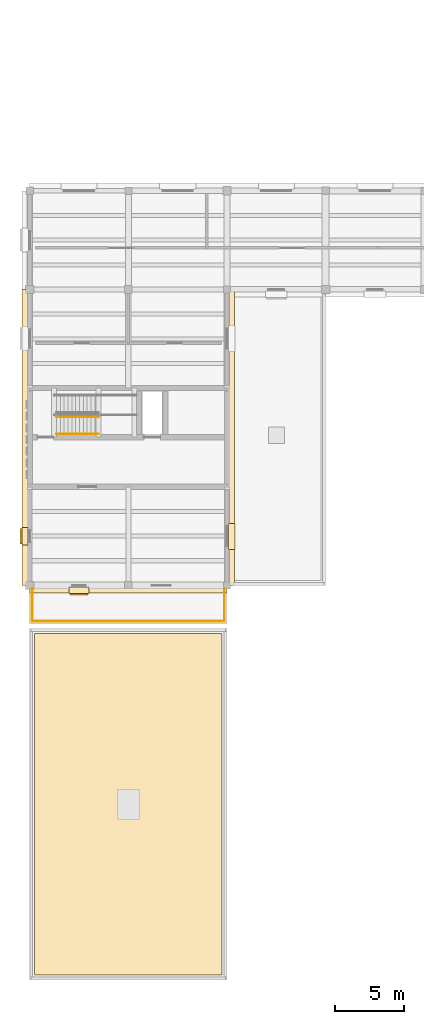
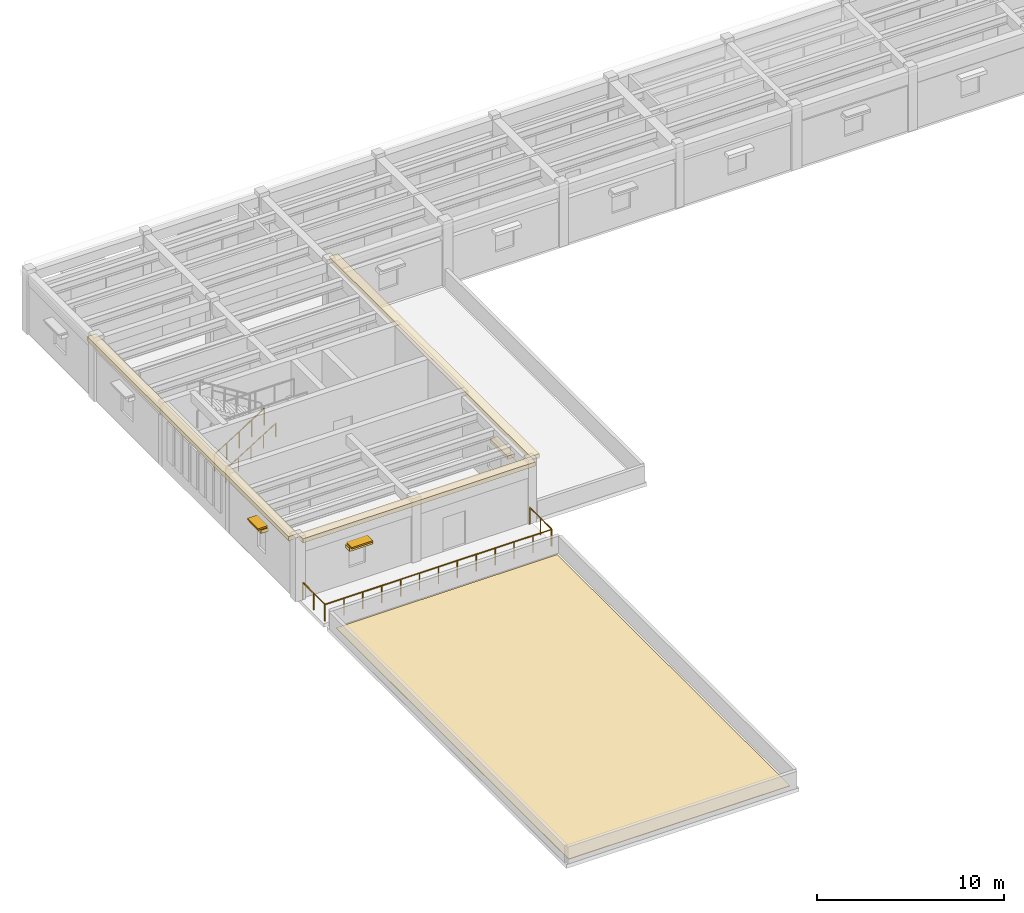
# One storey, part 23 of 27: 7 coverings, 5 railings, 2 shading devices.
"""IFC4 building model written with IfcOpenShell, lengths in metres."""

from ifc_helpers import new_model, si_unit, direction, frame, origin, origin_2d, place, context, subcontext, project, spatial, polyline, rectangle, circle, outline, extrude, material, layer, layer_set, type_object, element, save


model = new_model("IFC4")

# Units and contexts
model_context = context("Model", 3, precision=1e-05, world=origin(), true_north=direction((0.0, 1.0)))
body_context = subcontext(model_context, "Body", "Model", "MODEL_VIEW")
ifc_project = project(units=[si_unit("LENGTHUNIT", "METRE"), si_unit("AREAUNIT", "SQUARE_METRE"), si_unit("VOLUMEUNIT", "CUBIC_METRE"), si_unit("PLANEANGLEUNIT", "RADIAN"), si_unit("MASSUNIT", "GRAM", prefix="KILO")], contexts=[model_context])

# Site, building, storey
site_placement = place(None, origin())
site = spatial("IfcSite", under=ifc_project, at=site_placement, CompositionType="ELEMENT")
building_placement = place(site_placement, origin())
building = spatial("IfcBuilding", under=site, at=building_placement, Name="Mithqara Police Headquarters", CompositionType="ELEMENT")
storey_placement = place(building_placement, frame((0.0, 0.0, 18.0)))
storey = spatial("IfcBuildingStorey", under=building, at=storey_placement, Name="L04", CompositionType="ELEMENT", Elevation=18.0)

# Coverings
ifc_material_1 = material(Name="Limestone ashlar masonry, 45 MPa", Category="masonry")
ifc_layer_1 = layer(ifc_material_1, 0.320068359375, Name="Limestone ashlar masonry, 45 MPa")
ifc_layer_set_1 = layer_set([ifc_layer_1], Name="Limestone ashlar masonry, 45 MPa")
covering_type_1 = type_object("IfcCoveringType", Name="CORNICE LIMESTONE", PredefinedType="CLADDING", material=ifc_layer_set_1)
covering_1_placement = place(storey_placement, frame((7.52001953125, 67.800048828125, 3.919921875), z_axis=(0.0, 0.0, 1.0), x_axis=(0.0, 1.0, 0.0)))
element("IfcCovering", 1, at=covering_1_placement, inside=storey, type_object=covering_type_1, Name="L04 Projecting Ottoman Limestone Eaves Cornice 10", PredefinedType="CLADDING", context=body_context, shape_type="SweptSolid", body=[
    extrude(rectangle(XDim=21.60009765625, YDim=0.56005859375, at=origin_2d()), origin(), (0.0, 0.0, 1.0), 0.280029296875),
])
covering_2_placement = place(storey_placement, frame((15.0, 56.719970703125, 3.919921875), z_axis=(0.0, 0.0, 1.0), x_axis=(1.0, 0.0, 0.0)))
element("IfcCovering", 2, at=covering_2_placement, inside=storey, type_object=covering_type_1, Name="L04 Projecting Ottoman Limestone Eaves Cornice 11", PredefinedType="CLADDING", context=body_context, shape_type="SweptSolid", body=[
    extrude(rectangle(XDim=14.39990234375, YDim=0.56005859375, at=origin_2d()), origin(), (0.0, 0.0, 1.0), 0.280029296875),
])
covering_3_placement = place(storey_placement, frame((22.47998046875, 67.800048828125, 3.919921875), z_axis=(0.0, 0.0, 1.0), x_axis=(0.0, 1.0, 0.0)))
element("IfcCovering", 3, at=covering_3_placement, inside=storey, type_object=covering_type_1, Name="L04 Projecting Ottoman Limestone Eaves Cornice 12", PredefinedType="CLADDING", context=body_context, shape_type="SweptSolid", body=[
    extrude(rectangle(XDim=21.60009765625, YDim=0.56005859375, at=origin_2d()), origin(), (0.0, 0.0, 1.0), 0.280029296875),
])

# Railings
ifc_material_2 = material(Name="Bronze anodised aluminium 6063-T6", Category="aluminium")
railing_type_1 = type_object("IfcRailingType", Name="GUARD BALUSTRADE1120", PredefinedType="BALUSTRADE", material=ifc_material_2)
railing_1_placement = place(storey_placement, frame((7.97998046875, 54.3798828125, 0.0)))
element("IfcRailing", 4, at=railing_1_placement, inside=storey, type_object=railing_type_1, Name="L04 Terrace Balustrade TER-L04-S-S", PredefinedType="BALUSTRADE", context=body_context, shape_type="SweptSolid", body=[
    extrude(circle(Radius=0.02392578125, at=origin_2d()), frame((0.0, 0.0, 1.09619140625), z_axis=(1.0, 0.0, 0.0), x_axis=(0.0, 1.0, 0.0)), (0.0, 0.0, 1.0), 14.0400390625),
    extrude(circle(Radius=0.02099609375, at=origin_2d()), origin(), (0.0, 0.0, 1.0), 1.072021484375),
    extrude(circle(Radius=0.02099609375, at=origin_2d()), frame((1.169921875, 0.0, 0.0)), (0.0, 0.0, 1.0), 1.072021484375),
    extrude(circle(Radius=0.02099609375, at=origin_2d()), frame((2.340087890625, 0.0, 0.0)), (0.0, 0.0, 1.0), 1.072021484375),
    extrude(circle(Radius=0.02099609375, at=origin_2d()), frame((3.510009765625, 0.0, 0.0)), (0.0, 0.0, 1.0), 1.072021484375),
    extrude(circle(Radius=0.02099609375, at=origin_2d()), frame((4.679931640625, 0.0, 0.0)), (0.0, 0.0, 1.0), 1.072021484375),
    extrude(circle(Radius=0.02099609375, at=origin_2d()), frame((5.85009765625, 0.0, 0.0)), (0.0, 0.0, 1.0), 1.072021484375),
    extrude(circle(Radius=0.02099609375, at=origin_2d()), frame((7.02001953125, 0.0, 0.0)), (0.0, 0.0, 1.0), 1.072021484375),
    extrude(circle(Radius=0.02099609375, at=origin_2d()), frame((8.18994140625, 0.0, 0.0)), (0.0, 0.0, 1.0), 1.072021484375),
    extrude(circle(Radius=0.02099609375, at=origin_2d()), frame((9.360107421875, 0.0, 0.0)), (0.0, 0.0, 1.0), 1.072021484375),
    extrude(circle(Radius=0.02099609375, at=origin_2d()), frame((10.530029296875, 0.0, 0.0)), (0.0, 0.0, 1.0), 1.072021484375),
    extrude(circle(Radius=0.02099609375, at=origin_2d()), frame((11.699951171875, 0.0, 0.0)), (0.0, 0.0, 1.0), 1.072021484375),
    extrude(circle(Radius=0.02099609375, at=origin_2d()), frame((12.8701171875, 0.0, 0.0)), (0.0, 0.0, 1.0), 1.072021484375),
    extrude(circle(Radius=0.02099609375, at=origin_2d()), frame((14.0400390625, 0.0, 0.0)), (0.0, 0.0, 1.0), 1.072021484375),
])
for number, where, name in (
    (5, (7.97998046875, 54.43994140625, 0.0), "L04 Terrace Balustrade TER-L04-S-W"),
    (6, (22.02001953125, 54.43994140625, 0.0), "L04 Terrace Balustrade TER-L04-S-E"),
):
    element("IfcRailing", number, at=place(storey_placement, frame(where)), inside=storey, type_object=railing_type_1, Name=name, PredefinedType="BALUSTRADE", context=body_context, shape_type="SweptSolid", body=[
        extrude(circle(Radius=0.02392578125, at=origin_2d()), frame((0.0, 0.0, 1.09619140625), z_axis=(0.0, 1.0, 0.0), x_axis=(-1.0, 0.0, 0.0)), (0.0, 0.0, 1.0), 2.320068359375),
        extrude(circle(Radius=0.02099609375, at=origin_2d()), origin(), (0.0, 0.0, 1.0), 1.072021484375),
        extrude(circle(Radius=0.02099609375, at=origin_2d()), frame((0.0, 1.16015625, 0.0)), (0.0, 0.0, 1.0), 1.072021484375),
        extrude(circle(Radius=0.02099609375, at=origin_2d()), frame((0.0, 2.320068359375, 0.0)), (0.0, 0.0, 1.0), 1.072021484375),
    ])
ifc_material_3 = material(Name="Steel S355JR", Category="steel")
railing_type_2 = type_object("IfcRailingType", Name="HANDRAIL 920", PredefinedType="HANDRAIL", material=ifc_material_3)
railing_2_placement = place(storey_placement, frame((9.75, 68.050048828125, 0.175048828125)))
element("IfcRailing", 7, at=railing_2_placement, inside=storey, type_object=railing_type_2, Name="L04 ST-03 stair handrail 1", PredefinedType="HANDRAIL", context=body_context, shape_type="SweptSolid", body=[
    extrude(circle(Radius=0.02392578125, at=origin_2d()), frame((0.0, 0.0, 0.8759765625), z_axis=(0.847998304005, 0.0, 0.529998940003), x_axis=(0.0, 1.0, 0.0)), (0.0, 0.0, 1.0), 3.632080078125),
    extrude(circle(Radius=0.02099609375, at=origin_2d()), origin(), (0.0, 0.0, 1.0), 0.851806640625),
    extrude(circle(Radius=0.02099609375, at=origin_2d()), frame((0.77001953125, 0.0, 0.481201171875)), (0.0, 0.0, 1.0), 0.851806640625),
    extrude(circle(Radius=0.02099609375, at=origin_2d()), frame((1.5400390625, 0.0, 0.96240234375)), (0.0, 0.0, 1.0), 0.851806640625),
    extrude(circle(Radius=0.02099609375, at=origin_2d()), frame((2.31005859375, 0.0, 1.44384765625)), (0.0, 0.0, 1.0), 0.851806640625),
    extrude(circle(Radius=0.02099609375, at=origin_2d()), frame((3.080078125, 0.0, 1.925048828125)), (0.0, 0.0, 1.0), 0.851806640625),
])

# Shading devices
shading_device_type = type_object("IfcShadingDeviceType", Name="SOLAR LOUVRE BRONZE", PredefinedType="JALOUSIE", material=ifc_material_2)
shading_device_1_placement = place(storey_placement, frame((7.389892578125, 60.5849609375, 2.83984375), z_axis=(0.0, 0.0, 1.0), x_axis=(0.0, 1.0, 0.0)))
element("IfcShadingDevice", 8, at=shading_device_1_placement, inside=storey, type_object=shading_device_type, Name="L04 Window Solar Louvre Hood 10.1", PredefinedType="JALOUSIE", context=body_context, shape_type="SweptSolid", body=[
    extrude(rectangle(XDim=1.14990234375, YDim=0.60009765625, at=origin_2d()), origin(), (0.0, 0.0, 1.0), 0.10009765625),
])
shading_device_2_placement = place(storey_placement, frame((11.39990234375, 56.590087890625, 2.58984375), z_axis=(0.0, 0.0, 1.0), x_axis=(1.0, 0.0, 0.0)))
element("IfcShadingDevice", 9, at=shading_device_2_placement, inside=storey, type_object=shading_device_type, Name="L04 Window Solar Louvre Hood 11.1", PredefinedType="JALOUSIE", context=body_context, shape_type="SweptSolid", body=[
    extrude(rectangle(XDim=1.300048828125, YDim=0.60009765625, at=origin_2d()), origin(), (0.0, 0.0, 1.0), 0.10009765625),
])

# Railing
railing_type_3 = type_object("IfcRailingType", Name="STAIR GUARD 1120", PredefinedType="GUARDRAIL", material=ifc_material_3)
railing_3_placement = place(storey_placement, frame((9.75, 69.300048828125, 0.175048828125)))
element("IfcRailing", 10, at=railing_3_placement, inside=storey, type_object=railing_type_3, Name="L04 ST-03 stair guard 1", PredefinedType="GUARDRAIL", context=body_context, shape_type="SweptSolid", body=[
    extrude(circle(Radius=0.02392578125, at=origin_2d()), frame((0.0, 0.0, 1.076171875), z_axis=(0.847998304005, 0.0, 0.529998940003), x_axis=(0.0, 1.0, 0.0)), (0.0, 0.0, 1.0), 3.632080078125),
    extrude(circle(Radius=0.02099609375, at=origin_2d()), origin(), (0.0, 0.0, 1.0), 1.052001953125),
    extrude(circle(Radius=0.02099609375, at=origin_2d()), frame((0.77001953125, 0.0, 0.481201171875)), (0.0, 0.0, 1.0), 1.052001953125),
    extrude(circle(Radius=0.02099609375, at=origin_2d()), frame((1.5400390625, 0.0, 0.96240234375)), (0.0, 0.0, 1.0), 1.052001953125),
    extrude(circle(Radius=0.02099609375, at=origin_2d()), frame((2.31005859375, 0.0, 1.44384765625)), (0.0, 0.0, 1.0), 1.052001953125),
    extrude(circle(Radius=0.02099609375, at=origin_2d()), frame((3.080078125, 0.0, 1.925048828125)), (0.0, 0.0, 1.0), 1.052001953125),
])

# Coverings
ifc_material_4 = material(Name="Standing seam zinc-aluminium roofing", Category="aluminium")
ifc_layer_2 = layer(ifc_material_4, 0.0400390625, Name="Standing seam zinc-aluminium roofing")
ifc_layer_set_2 = layer_set([ifc_layer_2], Name="Standing seam zinc-aluminium roofing")
covering_type_2 = type_object("IfcCoveringType", Name="STANDING SEAM ROOFING", PredefinedType="ROOFING", material=ifc_layer_set_2)
covering_4_placement = place(storey_placement, origin())
element("IfcCovering", 11, at=covering_4_placement, inside=storey, type_object=covering_type_2, Name="L04 Insulated Roof Waterproofing ROOF-L03-00", PredefinedType="ROOFING", context=body_context, shape_type="SweptSolid", body=[
    extrude(outline(polyline([(8.14990234375, 53.5), (21.85009765625, 53.5), (21.85009765625, 28.550048828125), (8.14990234375, 28.550048828125), (8.14990234375, 53.5)])), origin(), (0.0, 0.0, 1.0), 0.0400390625),
])
ifc_layer_3 = layer(ifc_material_1, 0.239990234375, Name="Limestone ashlar masonry, 45 MPa")
ifc_layer_set_3 = layer_set([ifc_layer_3], Name="Limestone ashlar masonry, 45 MPa")
covering_type_3 = type_object("IfcCoveringType", Name="WINDOW HOOD LIMESTONE", PredefinedType="CLADDING", material=ifc_layer_set_3)
covering_5_placement = place(storey_placement, frame((7.449951171875, 60.5849609375, 2.6201171875), z_axis=(0.0, 0.0, 1.0), x_axis=(0.0, 1.0, 0.0)))
element("IfcCovering", 12, at=covering_5_placement, inside=storey, type_object=covering_type_3, Name="L04 Limestone Window Architrave Hood 10.1", PredefinedType="CLADDING", context=body_context, shape_type="SweptSolid", body=[
    extrude(rectangle(XDim=1.2900390625, YDim=0.4599609375, at=origin_2d()), origin(), (0.0, 0.0, 1.0), 0.219970703125),
])
covering_6_placement = place(storey_placement, frame((11.39990234375, 56.64990234375, 2.3701171875), z_axis=(0.0, 0.0, 1.0), x_axis=(1.0, 0.0, 0.0)))
element("IfcCovering", 13, at=covering_6_placement, inside=storey, type_object=covering_type_3, Name="L04 Limestone Window Architrave Hood 11.1", PredefinedType="CLADDING", context=body_context, shape_type="SweptSolid", body=[
    extrude(rectangle(XDim=1.43994140625, YDim=0.4599609375, at=origin_2d()), origin(), (0.0, 0.0, 1.0), 0.219970703125),
])
covering_7_placement = place(storey_placement, frame((22.550048828125, 60.5849609375, 2.3701171875), z_axis=(0.0, 0.0, 1.0), x_axis=(0.0, 1.0, 0.0)))
element("IfcCovering", 14, at=covering_7_placement, inside=storey, type_object=covering_type_3, Name="L04 Limestone Window Architrave Hood 12.1", PredefinedType="CLADDING", context=body_context, shape_type="SweptSolid", body=[
    extrude(rectangle(XDim=1.889892578125, YDim=0.4599609375, at=origin_2d()), origin(), (0.0, 0.0, 1.0), 0.219970703125),
])

save(model, "model.ifc")
